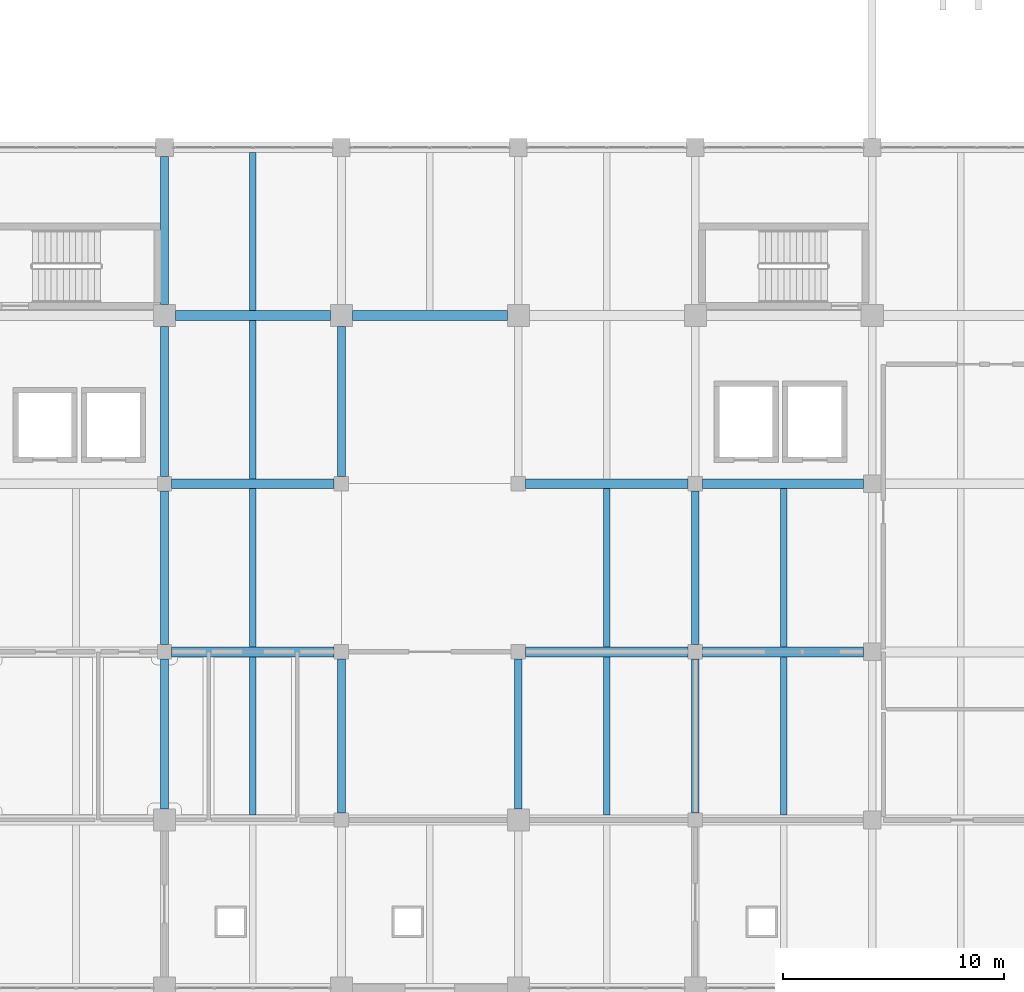
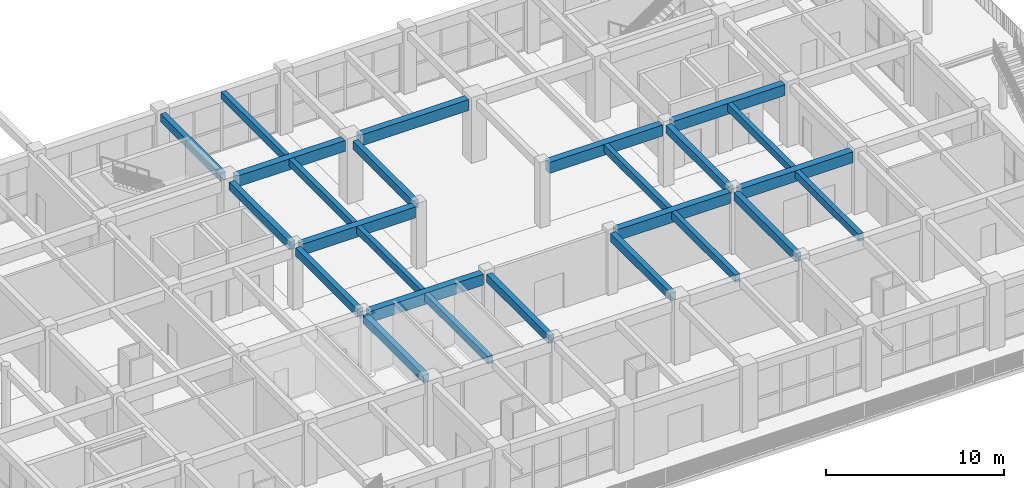
# One storey, part 28 of 79: 25 beams.
"""IFC4 building model written with IfcOpenShell, lengths in metres."""

from ifc_helpers import new_model, si_unit, direction, frame, origin, origin_2d, place, context, subcontext, project, spatial, rectangle, extrude, material, material_profile, profile_set, type_object, element, save


model = new_model("IFC4")

# Units and contexts
model_context = context("Model", 3, precision=1e-05, world=origin(), true_north=direction((0.0, 1.0)))
body_context = subcontext(model_context, "Body", "Model", "MODEL_VIEW")
ifc_project = project(units=[si_unit("LENGTHUNIT", "METRE"), si_unit("AREAUNIT", "SQUARE_METRE"), si_unit("VOLUMEUNIT", "CUBIC_METRE"), si_unit("PLANEANGLEUNIT", "RADIAN"), si_unit("MASSUNIT", "GRAM", prefix="KILO")], contexts=[model_context])

# Site, building, storey
site_placement = place(None, origin())
site = spatial("IfcSite", under=ifc_project, at=site_placement, CompositionType="ELEMENT")
building_placement = place(site_placement, origin())
building = spatial("IfcBuilding", under=site, at=building_placement, Name="Zantavel Square City Hall", CompositionType="ELEMENT")
storey_placement = place(building_placement, frame((0.0, 0.0, 10.199951171875)))
storey = spatial("IfcBuildingStorey", under=building, at=storey_placement, Name="L03", CompositionType="ELEMENT", Elevation=10.199951171875)

# Beams
ifc_material = material(Name="Concrete C35/45", Category="concrete")
ifc_material_profile_1 = material_profile(ifc_material, rectangle(XDim=0.300048828125, YDim=0.5, at=origin_2d()), Name="RC 300x500")
ifc_profile_set_1 = profile_set([ifc_material_profile_1], Name="Concrete C35/45")
beam_type_1 = type_object("IfcBeamType", Name="Floor Joist RC 300x500 C35/45", PredefinedType="JOIST", material=ifc_profile_set_1)
beam_1_placement = place(storey_placement, frame((76.0, 38.22509765625, 3.969970703125), z_axis=(0.0, 1.0, 0.0), x_axis=(-1.0, 0.0, 0.0)))
element("IfcBeam", 1, at=beam_1_placement, inside=storey, type_object=beam_type_1, Name="L03 Floor Joist JST-L03-0760-0380", PredefinedType="JOIST", context=body_context, shape_type="SweptSolid", body=[
    extrude(rectangle(XDim=0.300048828125, YDim=0.5, at=origin_2d()), origin(), (0.0, 0.0, 1.0), 7.14990234375),
])
beam_2_placement = place(storey_placement, frame((76.0, 45.824951171875, 3.969970703125), z_axis=(0.0, 1.0, 0.0), x_axis=(-1.0, 0.0, 0.0)))
element("IfcBeam", 2, at=beam_2_placement, inside=storey, type_object=beam_type_1, Name="L03 Floor Joist JST-L03-0760-0456", PredefinedType="JOIST", context=body_context, shape_type="SweptSolid", body=[
    extrude(rectangle(XDim=0.300048828125, YDim=0.5, at=origin_2d()), origin(), (0.0, 0.0, 1.0), 7.150146484375),
])
beam_3_placement = place(storey_placement, frame((76.0, 53.425048828125, 3.969970703125), z_axis=(0.0, 1.0, 0.0), x_axis=(-1.0, 0.0, 0.0)))
element("IfcBeam", 3, at=beam_3_placement, inside=storey, type_object=beam_type_1, Name="L03 Floor Joist JST-L03-0760-0532", PredefinedType="JOIST", context=body_context, shape_type="SweptSolid", body=[
    extrude(rectangle(XDim=0.300048828125, YDim=0.5, at=origin_2d()), origin(), (0.0, 0.0, 1.0), 7.14990234375),
])
beam_4_placement = place(storey_placement, frame((76.0, 61.02490234375, 3.969970703125), z_axis=(0.0, 1.0, 0.0), x_axis=(-1.0, 0.0, 0.0)))
element("IfcBeam", 4, at=beam_4_placement, inside=storey, type_object=beam_type_1, Name="L03 Floor Joist JST-L03-0760-0608", PredefinedType="JOIST", context=body_context, shape_type="SweptSolid", body=[
    extrude(rectangle(XDim=0.300048828125, YDim=0.5, at=origin_2d()), origin(), (0.0, 0.0, 1.0), 7.150146484375),
])
beam_5_placement = place(storey_placement, frame((92.0, 38.22509765625, 3.969970703125), z_axis=(0.0, 1.0, 0.0), x_axis=(-1.0, 0.0, 0.0)))
element("IfcBeam", 5, at=beam_5_placement, inside=storey, type_object=beam_type_1, Name="L03 Floor Joist JST-L03-0920-0380", PredefinedType="JOIST", context=body_context, shape_type="SweptSolid", body=[
    extrude(rectangle(XDim=0.300048828125, YDim=0.5, at=origin_2d()), origin(), (0.0, 0.0, 1.0), 7.14990234375),
])
beam_6_placement = place(storey_placement, frame((92.0, 45.824951171875, 3.969970703125), z_axis=(0.0, 1.0, 0.0), x_axis=(-1.0, 0.0, 0.0)))
element("IfcBeam", 6, at=beam_6_placement, inside=storey, type_object=beam_type_1, Name="L03 Floor Joist JST-L03-0920-0456", PredefinedType="JOIST", context=body_context, shape_type="SweptSolid", body=[
    extrude(rectangle(XDim=0.300048828125, YDim=0.5, at=origin_2d()), origin(), (0.0, 0.0, 1.0), 7.150146484375),
])
beam_7_placement = place(storey_placement, frame((100.0, 38.22509765625, 3.969970703125), z_axis=(0.0, 1.0, 0.0), x_axis=(-1.0, 0.0, 0.0)))
element("IfcBeam", 7, at=beam_7_placement, inside=storey, type_object=beam_type_1, Name="L03 Floor Joist JST-L03-1000-0380", PredefinedType="JOIST", context=body_context, shape_type="SweptSolid", body=[
    extrude(rectangle(XDim=0.300048828125, YDim=0.5, at=origin_2d()), origin(), (0.0, 0.0, 1.0), 7.14990234375),
])
beam_8_placement = place(storey_placement, frame((100.0, 45.824951171875, 3.969970703125), z_axis=(0.0, 1.0, 0.0), x_axis=(-1.0, 0.0, 0.0)))
element("IfcBeam", 8, at=beam_8_placement, inside=storey, type_object=beam_type_1, Name="L03 Floor Joist JST-L03-1000-0456", PredefinedType="JOIST", context=body_context, shape_type="SweptSolid", body=[
    extrude(rectangle(XDim=0.300048828125, YDim=0.5, at=origin_2d()), origin(), (0.0, 0.0, 1.0), 7.150146484375),
])
ifc_material_profile_2 = material_profile(ifc_material, rectangle(XDim=0.449951171875, YDim=0.75, at=origin_2d()), Name="RC 450x750")
ifc_profile_set_2 = profile_set([ifc_material_profile_2], Name="Concrete C35/45")
beam_type_2 = type_object("IfcBeamType", Name="Primary Girder RC 450x750 C35/45", PredefinedType="BEAM", material=ifc_profile_set_2)
for number, where, z_axis, x_axis, name in (
    (9, (72.324951171875, 45.60009765625, 3.844970703125), (1.0, 0.0, 0.0), (0.0, 1.0, 0.0), "L03 Girder BMX-L03-0720-0456"),
    (10, (72.324951171875, 53.199951171875, 3.844970703125), (1.0, 0.0, 0.0), (0.0, 1.0, 0.0), "L03 Girder BMX-L03-0720-0532"),
):
    element("IfcBeam", number, at=place(storey_placement, frame(where, z_axis=z_axis, x_axis=x_axis)), inside=storey, type_object=beam_type_2, Name=name, PredefinedType="BEAM", context=body_context, shape_type="SweptSolid", body=[
        extrude(rectangle(XDim=0.449951171875, YDim=0.75, at=origin_2d()), origin(), (0.0, 0.0, 1.0), 7.35009765625),
    ])
for number, where, z_axis, x_axis, name in (
    (11, (72.5, 60.800048828125, 3.844970703125), (1.0, 0.0, 0.0), (0.0, 1.0, 0.0), "L03 Girder BMX-L03-0720-0608"),
    (12, (80.5, 60.800048828125, 3.844970703125), (1.0, 0.0, 0.0), (0.0, 1.0, 0.0), "L03 Girder BMX-L03-0800-0608"),
):
    element("IfcBeam", number, at=place(storey_placement, frame(where, z_axis=z_axis, x_axis=x_axis)), inside=storey, type_object=beam_type_2, Name=name, PredefinedType="BEAM", context=body_context, shape_type="SweptSolid", body=[
        extrude(rectangle(XDim=0.449951171875, YDim=0.75, at=origin_2d()), origin(), (0.0, 0.0, 1.0), 7.0),
    ])
for number, where, z_axis, x_axis, name in (
    (13, (88.324951171875, 45.60009765625, 3.844970703125), (1.0, 0.0, 0.0), (0.0, 1.0, 0.0), "L03 Girder BMX-L03-0880-0456"),
    (14, (88.324951171875, 53.199951171875, 3.844970703125), (1.0, 0.0, 0.0), (0.0, 1.0, 0.0), "L03 Girder BMX-L03-0880-0532"),
):
    element("IfcBeam", number, at=place(storey_placement, frame(where, z_axis=z_axis, x_axis=x_axis)), inside=storey, type_object=beam_type_2, Name=name, PredefinedType="BEAM", context=body_context, shape_type="SweptSolid", body=[
        extrude(rectangle(XDim=0.449951171875, YDim=0.75, at=origin_2d()), origin(), (0.0, 0.0, 1.0), 7.35009765625),
    ])
for number, where, z_axis, x_axis, name in (
    (15, (96.324951171875, 45.60009765625, 3.844970703125), (1.0, 0.0, 0.0), (0.0, 1.0, 0.0), "L03 Girder BMX-L03-0960-0456"),
    (16, (96.324951171875, 53.199951171875, 3.844970703125), (1.0, 0.0, 0.0), (0.0, 1.0, 0.0), "L03 Girder BMX-L03-0960-0532"),
):
    element("IfcBeam", number, at=place(storey_placement, frame(where, z_axis=z_axis, x_axis=x_axis)), inside=storey, type_object=beam_type_2, Name=name, PredefinedType="BEAM", context=body_context, shape_type="SweptSolid", body=[
        extrude(rectangle(XDim=0.449951171875, YDim=0.75, at=origin_2d()), origin(), (0.0, 0.0, 1.0), 7.275146484375),
    ])
ifc_material_profile_3 = material_profile(ifc_material, rectangle(XDim=0.35009765625, YDim=0.550048828125, at=origin_2d()), Name="RC 350x550")
ifc_profile_set_3 = profile_set([ifc_material_profile_3], Name="Concrete C35/45")
beam_type_3 = type_object("IfcBeamType", Name="Secondary Beam RC 350x550 C35/45", PredefinedType="BEAM", material=ifc_profile_set_3)
beam_9_placement = place(storey_placement, frame((72.0, 38.5, 3.945068359375), z_axis=(0.0, 1.0, 0.0), x_axis=(-1.0, 0.0, 0.0)))
element("IfcBeam", 17, at=beam_9_placement, inside=storey, type_object=beam_type_3, Name="L03 Beam BMY-L03-0720-0380", PredefinedType="BEAM", context=body_context, shape_type="SweptSolid", body=[
    extrude(rectangle(XDim=0.35009765625, YDim=0.550048828125, at=origin_2d()), origin(), (0.0, 0.0, 1.0), 6.77490234375),
])
beam_10_placement = place(storey_placement, frame((72.0, 45.925048828125, 3.945068359375), z_axis=(0.0, 1.0, 0.0), x_axis=(-1.0, 0.0, 0.0)))
element("IfcBeam", 18, at=beam_10_placement, inside=storey, type_object=beam_type_3, Name="L03 Beam BMY-L03-0720-0456", PredefinedType="BEAM", context=body_context, shape_type="SweptSolid", body=[
    extrude(rectangle(XDim=0.35009765625, YDim=0.550048828125, at=origin_2d()), origin(), (0.0, 0.0, 1.0), 6.949951171875),
])
beam_11_placement = place(storey_placement, frame((72.0, 53.52490234375, 3.945068359375), z_axis=(0.0, 1.0, 0.0), x_axis=(-1.0, 0.0, 0.0)))
element("IfcBeam", 19, at=beam_11_placement, inside=storey, type_object=beam_type_3, Name="L03 Beam BMY-L03-0720-0532", PredefinedType="BEAM", context=body_context, shape_type="SweptSolid", body=[
    extrude(rectangle(XDim=0.35009765625, YDim=0.550048828125, at=origin_2d()), origin(), (0.0, 0.0, 1.0), 6.775146484375),
])
beam_12_placement = place(storey_placement, frame((72.0, 61.300048828125, 3.945068359375), z_axis=(0.0, 1.0, 0.0), x_axis=(-1.0, 0.0, 0.0)))
element("IfcBeam", 20, at=beam_12_placement, inside=storey, type_object=beam_type_3, Name="L03 Beam BMY-L03-0720-0608", PredefinedType="BEAM", context=body_context, shape_type="SweptSolid", body=[
    extrude(rectangle(XDim=0.35009765625, YDim=0.550048828125, at=origin_2d()), origin(), (0.0, 0.0, 1.0), 6.699951171875),
])
beam_13_placement = place(storey_placement, frame((80.0, 38.324951171875, 3.945068359375), z_axis=(0.0, 1.0, 0.0), x_axis=(-1.0, 0.0, 0.0)))
element("IfcBeam", 21, at=beam_13_placement, inside=storey, type_object=beam_type_3, Name="L03 Beam BMY-L03-0800-0380", PredefinedType="BEAM", context=body_context, shape_type="SweptSolid", body=[
    extrude(rectangle(XDim=0.35009765625, YDim=0.550048828125, at=origin_2d()), origin(), (0.0, 0.0, 1.0), 6.949951171875),
])
beam_14_placement = place(storey_placement, frame((80.0, 53.52490234375, 3.945068359375), z_axis=(0.0, 1.0, 0.0), x_axis=(-1.0, 0.0, 0.0)))
element("IfcBeam", 22, at=beam_14_placement, inside=storey, type_object=beam_type_3, Name="L03 Beam BMY-L03-0800-0532", PredefinedType="BEAM", context=body_context, shape_type="SweptSolid", body=[
    extrude(rectangle(XDim=0.35009765625, YDim=0.550048828125, at=origin_2d()), origin(), (0.0, 0.0, 1.0), 6.775146484375),
])
beam_15_placement = place(storey_placement, frame((88.0, 38.5, 3.945068359375), z_axis=(0.0, 1.0, 0.0), x_axis=(-1.0, 0.0, 0.0)))
element("IfcBeam", 23, at=beam_15_placement, inside=storey, type_object=beam_type_3, Name="L03 Beam BMY-L03-0880-0380", PredefinedType="BEAM", context=body_context, shape_type="SweptSolid", body=[
    extrude(rectangle(XDim=0.35009765625, YDim=0.550048828125, at=origin_2d()), origin(), (0.0, 0.0, 1.0), 6.77490234375),
])
for number, where, z_axis, x_axis, name in (
    (24, (96.0, 38.324951171875, 3.945068359375), (0.0, 1.0, 0.0), (-1.0, 0.0, 0.0), "L03 Beam BMY-L03-0960-0380"),
    (25, (96.0, 45.925048828125, 3.945068359375), (0.0, 1.0, 0.0), (-1.0, 0.0, 0.0), "L03 Beam BMY-L03-0960-0456"),
):
    element("IfcBeam", number, at=place(storey_placement, frame(where, z_axis=z_axis, x_axis=x_axis)), inside=storey, type_object=beam_type_3, Name=name, PredefinedType="BEAM", context=body_context, shape_type="SweptSolid", body=[
        extrude(rectangle(XDim=0.35009765625, YDim=0.550048828125, at=origin_2d()), origin(), (0.0, 0.0, 1.0), 6.949951171875),
    ])

save(model, "model.ifc")
